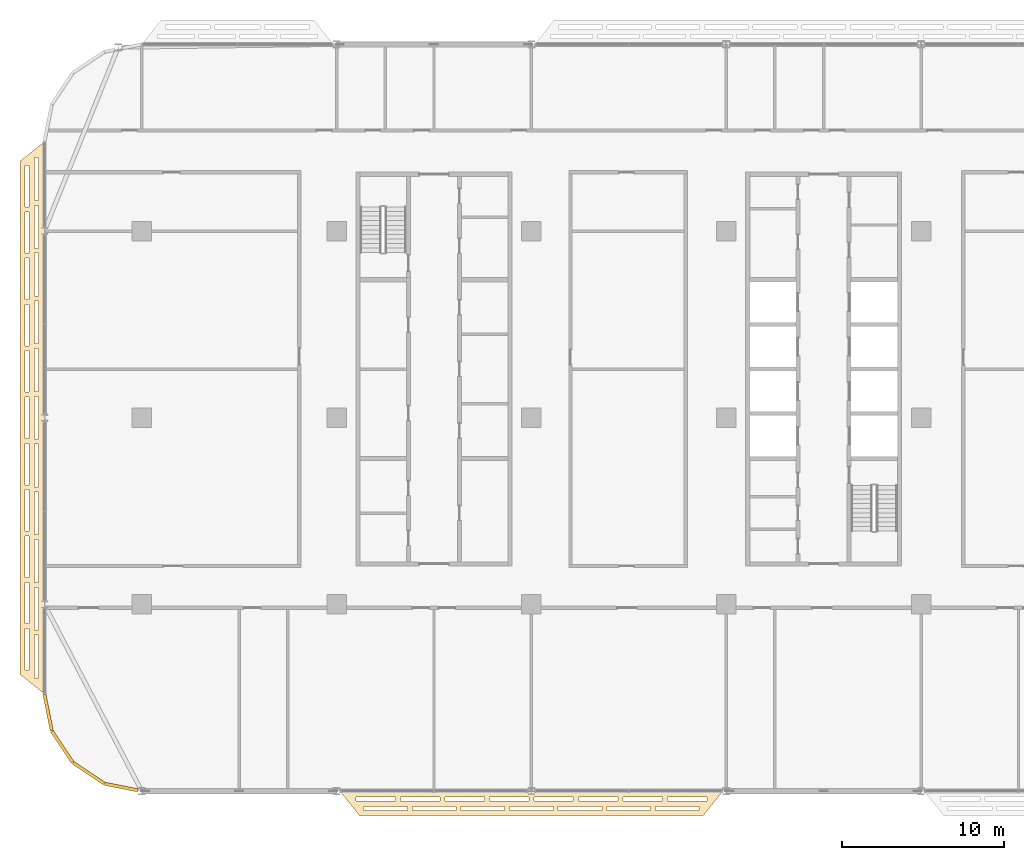
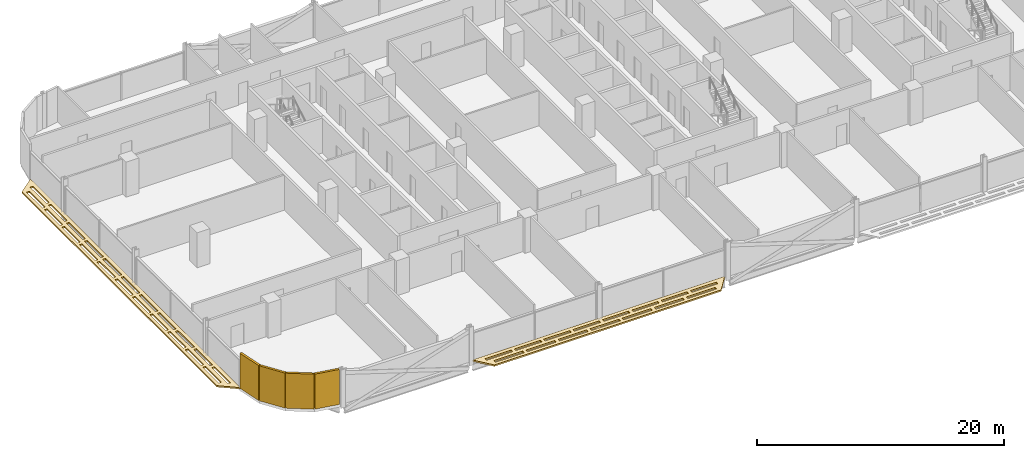
# One storey, part 22 of 27: 6 coverings.
"""IFC4 building model written with IfcOpenShell, lengths in metres."""

from ifc_helpers import new_model, si_unit, direction, frame, origin, origin_2d, place, context, subcontext, project, spatial, polyline, rectangle, outline, extrude, material, layer, layer_set, type_object, element, save


model = new_model("IFC4")

# Units and contexts
model_context = context("Model", 3, precision=1e-05, world=origin(), true_north=direction((0.0, 1.0)))
body_context = subcontext(model_context, "Body", "Model", "MODEL_VIEW")
ifc_project = project(units=[si_unit("LENGTHUNIT", "METRE"), si_unit("AREAUNIT", "SQUARE_METRE"), si_unit("VOLUMEUNIT", "CUBIC_METRE"), si_unit("PLANEANGLEUNIT", "RADIAN"), si_unit("MASSUNIT", "GRAM", prefix="KILO")], contexts=[model_context])

# Site, building, storey
site_placement = place(None, origin())
site = spatial("IfcSite", under=ifc_project, at=site_placement, CompositionType="ELEMENT")
building_placement = place(site_placement, origin())
building = spatial("IfcBuilding", under=site, at=building_placement, Name="Mahtab Terrace Research Tower", CompositionType="ELEMENT")
storey_placement = place(building_placement, frame((0.0, 0.0, 163.0)))
storey = spatial("IfcBuildingStorey", under=building, at=storey_placement, Name="L38", CompositionType="ELEMENT", Elevation=163.0)

# Coverings
ifc_material_1 = material(Name="Black aluminium cladding panel", Category="aluminium")
ifc_layer_1 = layer(ifc_material_1, 0.199951171875)
ifc_layer_set_1 = layer_set([ifc_layer_1], Name="Black metal corner cladding 200")
covering_type_1 = type_object("IfcCoveringType", Name="Black metal corner cladding 200", PredefinedType="CLADDING", material=ifc_layer_set_1)
for number, where, z_axis, x_axis, name in (
    (1, (-47.771484375, -18.14794921875, 0.0), (0.0, 0.0, 1.0), (0.195212442692, -0.980760981187, 0.0), "Corner cladding L38 19"),
    (2, (-46.89306640625, -20.26953125, 0.0), (0.0, 0.0, 1.0), (0.555291490808, -0.831655794326, 0.0), "Corner cladding L38 20"),
    (3, (-45.26953125, -21.89306640625, 0.0), (0.0, 0.0, 1.0), (0.831655794326, -0.555291490808, 0.0), "Corner cladding L38 21"),
):
    element("IfcCovering", number, at=place(storey_placement, frame(where, z_axis=z_axis, x_axis=x_axis)), inside=storey, type_object=covering_type_1, Name=name, PredefinedType="CLADDING", context=body_context, shape_type="SweptSolid", body=[
        extrude(rectangle(XDim=2.30126953125, YDim=0.199951171875, at=origin_2d()), origin(), (0.0, 0.0, 1.0), 3.4599609375),
    ])
covering_1_placement = place(storey_placement, frame((-43.25830078125, -22.74951171875, 0.0), z_axis=(0.0, 0.0, 1.0), x_axis=(0.980760981187, -0.195212442692, 0.0)))
element("IfcCovering", 4, at=covering_1_placement, inside=storey, type_object=covering_type_1, Name="Corner cladding L38 22", PredefinedType="CLADDING", context=body_context, shape_type="SweptSolid", body=[
    extrude(rectangle(XDim=2.07666015625, YDim=0.199951171875, at=origin_2d()), origin(), (0.0, 0.0, 1.0), 3.4599609375),
])
ifc_material_2 = material(Name="Black anodised aluminium", Category="aluminium")
ifc_layer_2 = layer(ifc_material_2, 0.14990234375)
ifc_layer_set_2 = layer_set([ifc_layer_2], Name="Horizontal sunshade band")
covering_type_2 = type_object("IfcCoveringType", Name="Horizontal sunshade band", PredefinedType="CLADDING", material=ifc_layer_set_2)
covering_2_placement = place(storey_placement, frame((0.0, 0.0, -0.14990234375)))
element("IfcCovering", 5, at=covering_2_placement, inside=storey, type_object=covering_type_2, Name="Sunshade band L38 15", PredefinedType="CLADDING", context=body_context, shape_type="SweptSolid", body=[
    extrude(outline(polyline([(-48.0, 17.0), (-48.0, -17.0), (-49.5, -15.800048828125), (-49.5, 15.800048828125), (-48.0, 17.0)]), holes=[polyline([(-48.35009765625, 16.02001953125), (-48.35009765625, 13.3798828125), (-48.60009765625, 13.3798828125), (-48.60009765625, 16.02001953125), (-48.35009765625, 16.02001953125)]), polyline([(-48.35009765625, 13.080078125), (-48.35009765625, 10.43994140625), (-48.60009765625, 10.43994140625), (-48.60009765625, 13.080078125), (-48.35009765625, 13.080078125)]), polyline([(-48.35009765625, 10.139892578125), (-48.35009765625, 7.5), (-48.60009765625, 7.5), (-48.60009765625, 10.139892578125), (-48.35009765625, 10.139892578125)]), polyline([(-48.35009765625, 7.199951171875), (-48.35009765625, 4.56005859375), (-48.60009765625, 4.56005859375), (-48.60009765625, 7.199951171875), (-48.35009765625, 7.199951171875)]), polyline([(-48.35009765625, 4.260009765625), (-48.35009765625, 1.6201171875), (-48.60009765625, 1.6201171875), (-48.60009765625, 4.260009765625), (-48.35009765625, 4.260009765625)]), polyline([(-48.35009765625, 1.320068359375), (-48.35009765625, -1.320068359375), (-48.60009765625, -1.320068359375), (-48.60009765625, 1.320068359375), (-48.35009765625, 1.320068359375)]), polyline([(-48.35009765625, -1.6201171875), (-48.35009765625, -4.260009765625), (-48.60009765625, -4.260009765625), (-48.60009765625, -1.6201171875), (-48.35009765625, -1.6201171875)]), polyline([(-48.35009765625, -4.56005859375), (-48.35009765625, -7.199951171875), (-48.60009765625, -7.199951171875), (-48.60009765625, -4.56005859375), (-48.35009765625, -4.56005859375)]), polyline([(-48.35009765625, -7.5), (-48.35009765625, -10.139892578125), (-48.60009765625, -10.139892578125), (-48.60009765625, -7.5), (-48.35009765625, -7.5)]), polyline([(-48.35009765625, -10.43994140625), (-48.35009765625, -13.080078125), (-48.60009765625, -13.080078125), (-48.60009765625, -10.43994140625), (-48.35009765625, -10.43994140625)]), polyline([(-48.35009765625, -13.3798828125), (-48.35009765625, -16.02001953125), (-48.60009765625, -16.02001953125), (-48.60009765625, -13.3798828125), (-48.35009765625, -13.3798828125)]), polyline([(-48.949951171875, 15.5400390625), (-48.949951171875, 12.987060546875), (-49.199951171875, 12.987060546875), (-49.199951171875, 15.5400390625), (-48.949951171875, 15.5400390625)]), polyline([(-48.949951171875, 12.68701171875), (-48.949951171875, 10.135009765625), (-49.199951171875, 10.135009765625), (-49.199951171875, 12.68701171875), (-48.949951171875, 12.68701171875)]), polyline([(-48.949951171875, 9.8349609375), (-48.949951171875, 7.281982421875), (-49.199951171875, 7.281982421875), (-49.199951171875, 9.8349609375), (-48.949951171875, 9.8349609375)]), polyline([(-48.949951171875, 6.98193359375), (-48.949951171875, 4.428955078125), (-49.199951171875, 4.428955078125), (-49.199951171875, 6.98193359375), (-48.949951171875, 6.98193359375)]), polyline([(-48.949951171875, 4.12890625), (-48.949951171875, 1.575927734375), (-49.199951171875, 1.575927734375), (-49.199951171875, 4.12890625), (-48.949951171875, 4.12890625)]), polyline([(-48.949951171875, 1.27587890625), (-48.949951171875, -1.27587890625), (-49.199951171875, -1.27587890625), (-49.199951171875, 1.27587890625), (-48.949951171875, 1.27587890625)]), polyline([(-48.949951171875, -1.575927734375), (-48.949951171875, -4.12890625), (-49.199951171875, -4.12890625), (-49.199951171875, -1.575927734375), (-48.949951171875, -1.575927734375)]), polyline([(-48.949951171875, -4.428955078125), (-48.949951171875, -6.98193359375), (-49.199951171875, -6.98193359375), (-49.199951171875, -4.428955078125), (-48.949951171875, -4.428955078125)]), polyline([(-48.949951171875, -7.281982421875), (-48.949951171875, -9.8349609375), (-49.199951171875, -9.8349609375), (-49.199951171875, -7.281982421875), (-48.949951171875, -7.281982421875)]), polyline([(-48.949951171875, -10.135009765625), (-48.949951171875, -12.68701171875), (-49.199951171875, -12.68701171875), (-49.199951171875, -10.135009765625), (-48.949951171875, -10.135009765625)]), polyline([(-48.949951171875, -12.987060546875), (-48.949951171875, -15.5400390625), (-49.199951171875, -15.5400390625), (-49.199951171875, -12.987060546875), (-48.949951171875, -12.987060546875)])]), origin(), (0.0, 0.0, 1.0), 0.14990234375),
])
covering_3_placement = place(storey_placement, frame((0.0, 0.0, -0.14990234375)))
element("IfcCovering", 6, at=covering_3_placement, inside=storey, type_object=covering_type_2, Name="Sunshade band L38 24", PredefinedType="CLADDING", context=body_context, shape_type="SweptSolid", body=[
    extrude(outline(polyline([(-29.7919921875, -23.0), (-6.2080078125, -23.0), (-7.407958984375, -24.5), (-28.592041015625, -24.5), (-29.7919921875, -23.0)]), holes=[polyline([(-28.81201171875, -23.35009765625), (-26.3720703125, -23.35009765625), (-26.3720703125, -23.60009765625), (-28.81201171875, -23.60009765625), (-28.81201171875, -23.35009765625)]), polyline([(-26.072021484375, -23.35009765625), (-23.631103515625, -23.35009765625), (-23.631103515625, -23.60009765625), (-26.072021484375, -23.60009765625), (-26.072021484375, -23.35009765625)]), polyline([(-23.3310546875, -23.35009765625), (-20.889892578125, -23.35009765625), (-20.889892578125, -23.60009765625), (-23.3310546875, -23.60009765625), (-23.3310546875, -23.35009765625)]), polyline([(-20.590087890625, -23.35009765625), (-18.14990234375, -23.35009765625), (-18.14990234375, -23.60009765625), (-20.590087890625, -23.60009765625), (-20.590087890625, -23.35009765625)]), polyline([(-17.85009765625, -23.35009765625), (-15.409912109375, -23.35009765625), (-15.409912109375, -23.60009765625), (-17.85009765625, -23.60009765625), (-17.85009765625, -23.35009765625)]), polyline([(-15.10888671875, -23.35009765625), (-12.6689453125, -23.35009765625), (-12.6689453125, -23.60009765625), (-15.10888671875, -23.60009765625), (-15.10888671875, -23.35009765625)]), polyline([(-12.368896484375, -23.35009765625), (-9.927978515625, -23.35009765625), (-9.927978515625, -23.60009765625), (-12.368896484375, -23.60009765625), (-12.368896484375, -23.35009765625)]), polyline([(-9.62890625, -23.35009765625), (-7.18798828125, -23.35009765625), (-7.18798828125, -23.60009765625), (-9.62890625, -23.60009765625), (-9.62890625, -23.35009765625)]), polyline([(-28.33203125, -23.949951171875), (-25.636962890625, -23.949951171875), (-25.636962890625, -24.199951171875), (-28.33203125, -24.199951171875), (-28.33203125, -23.949951171875)]), polyline([(-25.3369140625, -23.949951171875), (-22.64208984375, -23.949951171875), (-22.64208984375, -24.199951171875), (-25.3369140625, -24.199951171875), (-25.3369140625, -23.949951171875)]), polyline([(-22.342041015625, -23.949951171875), (-19.64697265625, -23.949951171875), (-19.64697265625, -24.199951171875), (-22.342041015625, -24.199951171875), (-22.342041015625, -23.949951171875)]), polyline([(-19.346923828125, -23.949951171875), (-16.653076171875, -23.949951171875), (-16.653076171875, -24.199951171875), (-19.346923828125, -24.199951171875), (-19.346923828125, -23.949951171875)]), polyline([(-16.35302734375, -23.949951171875), (-13.657958984375, -23.949951171875), (-13.657958984375, -24.199951171875), (-16.35302734375, -24.199951171875), (-16.35302734375, -23.949951171875)]), polyline([(-13.35791015625, -23.949951171875), (-10.6630859375, -23.949951171875), (-10.6630859375, -24.199951171875), (-13.35791015625, -24.199951171875), (-13.35791015625, -23.949951171875)]), polyline([(-10.363037109375, -23.949951171875), (-7.66796875, -23.949951171875), (-7.66796875, -24.199951171875), (-10.363037109375, -24.199951171875), (-10.363037109375, -23.949951171875)])]), origin(), (0.0, 0.0, 1.0), 0.14990234375),
])

save(model, "model.ifc")
